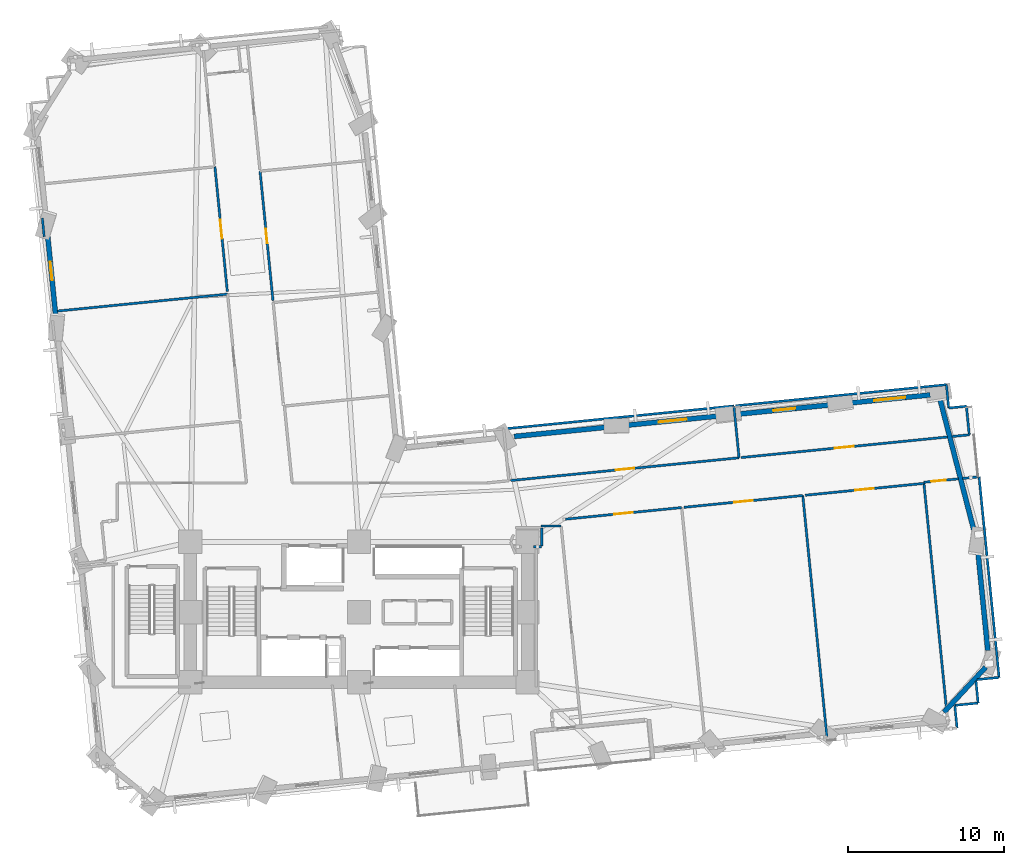
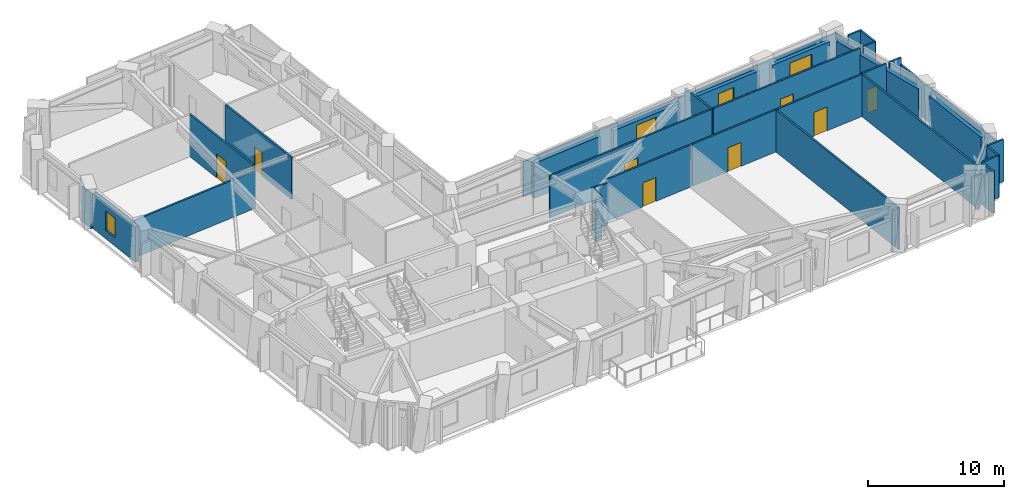
# One storey, part 10 of 16: 36 walls, 8 doors, 4 windows, 12 openings.
"""IFC4 building model written with IfcOpenShell, lengths in metres."""

from ifc_helpers import new_model, si_unit, direction, frame, frame_2d, origin, place, context, subcontext, project, spatial, rectangle, extrude, material, layer, layer_set, type_object, element, fill, save


model = new_model("IFC4")

# Units and contexts
model_context = context("Model", 3, precision=1e-05, world=origin(), true_north=direction((0.0, 1.0)))
body_context = subcontext(model_context, "Body", "Model", "MODEL_VIEW")
ifc_project = project(units=[si_unit("LENGTHUNIT", "METRE"), si_unit("AREAUNIT", "SQUARE_METRE"), si_unit("VOLUMEUNIT", "CUBIC_METRE"), si_unit("PLANEANGLEUNIT", "RADIAN"), si_unit("MASSUNIT", "GRAM", prefix="KILO")], contexts=[model_context])

# Site, building, storey
site_placement = place(None, origin())
site = spatial("IfcSite", under=ifc_project, at=site_placement, CompositionType="ELEMENT")
building_placement = place(site_placement, origin())
building = spatial("IfcBuilding", under=site, at=building_placement, Name="Gaonmaruhae Medical Tower", CompositionType="ELEMENT")
storey_placement = place(building_placement, frame((0.0, 0.0, 47.0)))
storey = spatial("IfcBuildingStorey", under=building, at=storey_placement, Name="L10", CompositionType="ELEMENT", Elevation=47.0)

# Walls
ifc_material_1 = material(Name="Precast concrete C45/55", Category="concrete")
ifc_layer_1 = layer(ifc_material_1, 0.320068359375)
ifc_layer_set_1 = layer_set([ifc_layer_1], Name="Precast concrete C45/55")
wall_type_1 = type_object("IfcWallType", Name="EW-320 Lower Precast Masonry-Frame Facade Wall", PredefinedType="SOLIDWALL", material=ifc_layer_set_1)
wall_1_placement = place(storey_placement, frame((64.955810546875, 8.77197265625, 0.0), z_axis=(0.0, 0.0, 1.0), x_axis=(-0.680098153136, -0.733121069197, 0.0)))
element("IfcWall", 1, at=wall_1_placement, inside=storey, type_object=wall_type_1, Name="L10 Precast Masonry-Frame Wall S08-E01", PredefinedType="SOLIDWALL", context=body_context, shape_type="SweptSolid", body=[
    extrude(rectangle(XDim=3.927490234375, YDim=0.320068359375, at=frame_2d((1.9638671875, 0.0))), origin(), (0.0, 0.0, 1.0), 3.1650390625),
])
wall_2_placement = place(storey_placement, frame((64.43505859375, 16.41796875, 0.0), z_axis=(0.0, 0.0, 1.0), x_axis=(0.099317215684, -0.995055822891, 0.0)))
element("IfcWall", 2, at=wall_2_placement, inside=storey, type_object=wall_type_1, Name="L10 Precast Masonry-Frame Wall E01-E02", PredefinedType="SOLIDWALL", context=body_context, shape_type="SweptSolid", body=[
    extrude(rectangle(XDim=6.610107421875, YDim=0.320068359375, at=frame_2d((3.30517578125, 0.0))), origin(), (0.0, 0.0, 1.0), 3.1650390625),
])
wall_3_placement = place(storey_placement, frame((62.037841796875, 25.9091796875, 0.0), z_axis=(0.0, 0.0, 1.0), x_axis=(0.250203731226, -0.968193210512, 0.0)))
element("IfcWall", 3, at=wall_3_placement, inside=storey, type_object=wall_type_1, Name="L10 Precast Masonry-Frame Wall E02-E03", PredefinedType="SOLIDWALL", context=body_context, shape_type="SweptSolid", body=[
    extrude(rectangle(XDim=8.614013671875, YDim=0.320068359375, at=frame_2d((4.30712890625, 0.0))), origin(), (0.0, 0.0, 1.0), 3.1650390625),
])

# Wall, opening, window
wall_4_placement = place(storey_placement, frame((56.2119140625, 25.7001953125, 0.0), z_axis=(0.0, 0.0, 1.0), x_axis=(0.995056197677, 0.099313460641, 0.0)))
wall_4 = element("IfcWall", 4, at=wall_4_placement, inside=storey, type_object=wall_type_1, Name="L10 Precast Masonry-Frame Wall E03-EN01", PredefinedType="SOLIDWALL", context=body_context, shape_type="SweptSolid", body=[
    extrude(rectangle(XDim=5.208984375, YDim=0.320068359375, at=frame_2d((2.6044921875, 0.0))), origin(), (0.0, 0.0, 1.0), 3.1650390625),
])
opening_1_placement = place(wall_4_placement, frame((1.60009765625, 0.0, 0.75)))
opening_1 = element("IfcOpeningElement", 5, at=opening_1_placement, cuts=wall_4, Name="Opening WN-02", PredefinedType="OPENING", context=body_context, shape_type="SweptSolid", body=[
    extrude(rectangle(XDim=2.0, YDim=1.949951171875, at=frame_2d((1.0, 0.97509765625))), frame((0.0, 0.169921875, 0.0), z_axis=(0.0, -1.0, 0.0), x_axis=(1.0, 0.0, 0.0)), (0.0, 0.0, 1.0), 0.340087890625),
])
ifc_material_2 = material(Name="Anodised aluminium and Low-E double glazing", Category="aluminium")
window_type_1 = type_object("IfcWindowType", Name="WN-02 Double-Bed Ward Punched Window 2000x1950", PartitioningType="SINGLE_PANEL", PredefinedType="WINDOW", material=ifc_material_2)
window_1_placement = place(opening_1_placement, origin())
window_1 = element("IfcWindow", 6, at=window_1_placement, inside=storey, type_object=window_type_1, Name="L10 Modular Facade Window E03", OverallHeight=1.949951171875, OverallWidth=2.0, PartitioningType="SINGLE_PANEL", PredefinedType="WINDOW", context=body_context, shape_type="SweptSolid", body=[
    extrude(rectangle(XDim=2.0, YDim=1.949951171875, at=frame_2d((1.0, 0.97509765625))), frame((0.0, 0.030029296875, 0.0), z_axis=(0.0, -1.0, 0.0), x_axis=(1.0, 0.0, 0.0)), (0.0, 0.0, 1.0), 0.06005859375),
])
fill(opening_1, window_1)

wall_5_placement = place(storey_placement, frame((49.0634765625, 24.98681640625, 0.0), z_axis=(0.0, 0.0, 1.0), x_axis=(0.995054829074, 0.099327172194, 0.0)))
wall_5 = element("IfcWall", 7, at=wall_5_placement, inside=storey, type_object=wall_type_1, Name="L10 Precast Masonry-Frame Wall EN01-EN02", PredefinedType="SOLIDWALL", context=body_context, shape_type="SweptSolid", body=[
    extrude(rectangle(XDim=6.0244140625, YDim=0.320068359375, at=frame_2d((3.01220703125, 0.0))), origin(), (0.0, 0.0, 1.0), 3.1650390625),
])
opening_2_placement = place(wall_5_placement, frame((2.30859375, 0.0, 0.75)))
opening_2 = element("IfcOpeningElement", 8, at=opening_2_placement, cuts=wall_5, Name="Opening WN-03", PredefinedType="OPENING", context=body_context, shape_type="SweptSolid", body=[
    extrude(rectangle(XDim=1.39990234375, YDim=1.85009765625, at=frame_2d((0.699951171875, 0.925048828125))), frame((0.0, 0.169921875, 0.0), z_axis=(0.0, -1.0, 0.0), x_axis=(1.0, 0.0, 0.0)), (0.0, 0.0, 1.0), 0.340087890625),
])
window_type_2 = type_object("IfcWindowType", Name="WN-03 Isolation Ward Punched Window 1400x1850", PartitioningType="SINGLE_PANEL", PredefinedType="WINDOW", material=ifc_material_2)
window_2_placement = place(opening_2_placement, origin())
window_2 = element("IfcWindow", 9, at=window_2_placement, inside=storey, type_object=window_type_2, Name="L10 Modular Facade Window EN01", OverallHeight=1.85009765625, OverallWidth=1.39990234375, PartitioningType="SINGLE_PANEL", PredefinedType="WINDOW", context=body_context, shape_type="SweptSolid", body=[
    extrude(rectangle(XDim=1.39990234375, YDim=1.85009765625, at=frame_2d((0.699951171875, 0.925048828125))), frame((0.0, 0.030029296875, 0.0), z_axis=(0.0, -1.0, 0.0), x_axis=(1.0, 0.0, 0.0)), (0.0, 0.0, 1.0), 0.06005859375),
])
fill(opening_2, window_2)

wall_6_placement = place(storey_placement, frame((41.90869140625, 24.272705078125, 0.0), z_axis=(0.0, 0.0, 1.0), x_axis=(0.995058520891, 0.099290180795, 0.0)))
wall_6 = element("IfcWall", 10, at=wall_6_placement, inside=storey, type_object=wall_type_1, Name="L10 Precast Masonry-Frame Wall EN02-EN03", PredefinedType="SOLIDWALL", context=body_context, shape_type="SweptSolid", body=[
    extrude(rectangle(XDim=5.99951171875, YDim=0.320068359375, at=frame_2d((2.999755859375, 0.0))), origin(), (0.0, 0.0, 1.0), 3.1650390625),
])
opening_3_placement = place(wall_6_placement, frame((2.097900390625, 0.0, 0.75)))
opening_3 = element("IfcOpeningElement", 11, at=opening_3_placement, cuts=wall_6, Name="Opening WN-04", PredefinedType="OPENING", context=body_context, shape_type="SweptSolid", body=[
    extrude(rectangle(XDim=1.800048828125, YDim=2.050048828125, at=frame_2d((0.89990234375, 1.02490234375))), frame((0.0, 0.169921875, 0.0), z_axis=(0.0, -1.0, 0.0), x_axis=(1.0, 0.0, 0.0)), (0.0, 0.0, 1.0), 0.340087890625),
])
window_type_3 = type_object("IfcWindowType", Name="WN-04 Clinic & Consult Punched Window 1800x2050", PartitioningType="SINGLE_PANEL", PredefinedType="WINDOW", material=ifc_material_2)
window_3_placement = place(opening_3_placement, origin())
window_3 = element("IfcWindow", 12, at=window_3_placement, inside=storey, type_object=window_type_3, Name="L10 Modular Facade Window EN02", OverallHeight=2.050048828125, OverallWidth=1.800048828125, PartitioningType="SINGLE_PANEL", PredefinedType="WINDOW", context=body_context, shape_type="SweptSolid", body=[
    extrude(rectangle(XDim=1.800048828125, YDim=2.050048828125, at=frame_2d((0.89990234375, 1.02490234375))), frame((0.0, 0.030029296875, 0.0), z_axis=(0.0, -1.0, 0.0), x_axis=(1.0, 0.0, 0.0)), (0.0, 0.0, 1.0), 0.06005859375),
])
fill(opening_3, window_3)

# Wall
wall_7_placement = place(storey_placement, frame((34.748046875, 23.557861328125, 0.0), z_axis=(0.0, 0.0, 1.0), x_axis=(0.995054132768, 0.099334147505, 0.0)))
element("IfcWall", 13, at=wall_7_placement, inside=storey, type_object=wall_type_1, Name="L10 Precast Masonry-Frame Wall EN03-EN04", PredefinedType="SOLIDWALL", context=body_context, shape_type="SweptSolid", body=[
    extrude(rectangle(XDim=5.987060546875, YDim=0.320068359375, at=frame_2d((2.99365234375, 0.0))), origin(), (0.0, 0.0, 1.0), 3.1650390625),
])

# Wall, opening, window
wall_8_placement = place(storey_placement, frame((5.394287109375, 31.0048828125, 0.0), z_axis=(0.0, 0.0, 1.0), x_axis=(-0.099315735394, 0.995055970638, 0.0)))
wall_8 = element("IfcWall", 14, at=wall_8_placement, inside=storey, type_object=wall_type_1, Name="L10 Precast Masonry-Frame Wall W02-W03", PredefinedType="SOLIDWALL", context=body_context, shape_type="SweptSolid", body=[
    extrude(rectangle(XDim=5.400634765625, YDim=0.320068359375, at=frame_2d((2.7001953125, 0.0))), origin(), (0.0, 0.0, 1.0), 3.1650390625),
])
opening_4_placement = place(wall_8_placement, frame((2.569580078125, 0.0, 0.75)))
opening_4 = element("IfcOpeningElement", 15, at=opening_4_placement, cuts=wall_8, Name="Opening WN-05", PredefinedType="OPENING", context=body_context, shape_type="SweptSolid", body=[
    extrude(rectangle(XDim=1.199951171875, YDim=1.75, at=frame_2d((0.60009765625, 0.875))), frame((0.0, 0.169921875, 0.0), z_axis=(0.0, -1.0, 0.0), x_axis=(1.0, 0.0, 0.0)), (0.0, 0.0, 1.0), 0.340087890625),
])
window_type_4 = type_object("IfcWindowType", Name="WN-05 Support & Staff Punched Window 1200x1750", PartitioningType="SINGLE_PANEL", PredefinedType="WINDOW", material=ifc_material_2)
window_4_placement = place(opening_4_placement, origin())
window_4 = element("IfcWindow", 16, at=window_4_placement, inside=storey, type_object=window_type_4, Name="L10 Modular Facade Window W02", OverallHeight=1.75, OverallWidth=1.199951171875, PartitioningType="SINGLE_PANEL", PredefinedType="WINDOW", context=body_context, shape_type="SweptSolid", body=[
    extrude(rectangle(XDim=1.199951171875, YDim=1.75, at=frame_2d((0.60009765625, 0.875))), frame((0.0, 0.030029296875, 0.0), z_axis=(0.0, -1.0, 0.0), x_axis=(1.0, 0.0, 0.0)), (0.0, 0.0, 1.0), 0.06005859375),
])
fill(opening_4, window_4)

# Walls
ifc_material_3 = material(Name="Gypsum board partition", Category="gypsum")
ifc_layer_2 = layer(ifc_material_3, 0.14990234375)
ifc_layer_set_2 = layer_set([ifc_layer_2], Name="Gypsum board partition")
wall_type_2 = type_object("IfcWallType", Name="PW-150 Rated Clinical Corridor Partition", PredefinedType="PARTITIONING", material=ifc_layer_set_2)
wall_9_placement = place(storey_placement, frame((35.97509765625, 16.5, 0.0), z_axis=(0.0, 0.0, 1.0), x_axis=(1.0, 0.0, 0.0)))
element("IfcWall", 17, at=wall_9_placement, inside=storey, type_object=wall_type_2, Name="L10 Interior Partition L10-SUP04-27", PredefinedType="PARTITIONING", context=body_context, shape_type="SweptSolid", body=[
    extrude(rectangle(XDim=0.52490234375, YDim=0.14990234375, at=frame_2d((0.262451171875, 0.0))), origin(), (0.0, 0.0, 1.0), 3.780029296875),
])
wall_10_placement = place(storey_placement, frame((36.5, 16.550048828125, 0.0), z_axis=(0.0, 0.0, 1.0), x_axis=(0.0, 1.0, 0.0)))
element("IfcWall", 18, at=wall_10_placement, inside=storey, type_object=wall_type_2, Name="L10 Interior Partition L10-SUP04-28", PredefinedType="PARTITIONING", context=body_context, shape_type="SweptSolid", body=[
    extrude(rectangle(XDim=1.14990234375, YDim=0.14990234375, at=frame_2d((0.574951171875, 0.0))), origin(), (0.0, 0.0, 1.0), 3.780029296875),
])
wall_11_placement = place(storey_placement, frame((36.449951171875, 17.820068359375, 0.0), z_axis=(0.0, 0.0, 1.0), x_axis=(1.0, 0.0, 0.0)))
element("IfcWall", 19, at=wall_11_placement, inside=storey, type_object=wall_type_2, Name="L10 Interior Partition L10-SUP04-30", PredefinedType="PARTITIONING", context=body_context, shape_type="SweptSolid", body=[
    extrude(rectangle(XDim=1.303955078125, YDim=0.14990234375, at=frame_2d((0.65185546875, 0.0))), origin(), (0.0, 0.0, 1.0), 3.780029296875),
])

# Wall, opening, door
wall_12_placement = place(storey_placement, frame((38.030029296875, 18.258056640625, 0.0), z_axis=(0.0, 0.0, 1.0), x_axis=(0.995058167689, 0.099293720422, 0.0)))
wall_12 = element("IfcWall", 20, at=wall_12_placement, inside=storey, type_object=wall_type_2, Name="L10 Interior Partition L10-SUP05-35", PredefinedType="PARTITIONING", context=body_context, shape_type="SweptSolid", body=[
    extrude(rectangle(XDim=7.48193359375, YDim=0.14990234375, at=frame_2d((3.740966796875, 0.0))), origin(), (0.0, 0.0, 1.0), 3.780029296875),
])
opening_5_placement = place(wall_12_placement, frame((3.14111328125, 0.0, 0.0)))
opening_5 = element("IfcOpeningElement", 21, at=opening_5_placement, cuts=wall_12, Name="Opening CD-02", PredefinedType="OPENING", context=body_context, shape_type="SweptSolid", body=[
    extrude(rectangle(XDim=1.199951171875, YDim=2.14990234375, at=frame_2d((0.60009765625, 1.074951171875))), frame((0.0, 0.0849609375, 0.0), z_axis=(0.0, -1.0, 0.0), x_axis=(1.0, 0.0, 0.0)), (0.0, 0.0, 1.0), 0.169921875),
])
ifc_material_4 = material(Name="Antimicrobial laminate timber fire door", Category="wood")
door_type_1 = type_object("IfcDoorType", Name="CD-02 Clinical Treatment & Procedure Door 1200x2150", OperationType="NOTDEFINED", PredefinedType="DOOR", material=ifc_material_4)
door_1_placement = place(opening_5_placement, origin())
door_1 = element("IfcDoor", 22, at=door_1_placement, inside=storey, type_object=door_type_1, Name="L10 Clinical Biomedical Charting Office Door", OperationType="SINGLE_SWING_LEFT", OverallHeight=2.14990234375, OverallWidth=1.199951171875, PredefinedType="DOOR", context=body_context, shape_type="SweptSolid", body=[
    extrude(rectangle(XDim=1.199951171875, YDim=2.14990234375, at=frame_2d((0.60009765625, 1.074951171875))), frame((0.0, 0.02490234375, 0.0), z_axis=(0.0, -1.0, 0.0), x_axis=(1.0, 0.0, 0.0)), (0.0, 0.0, 1.0), 0.050048828125),
])
fill(opening_5, door_1)

wall_13_placement = place(storey_placement, frame((45.634033203125, 19.01708984375, 0.0), z_axis=(0.0, 0.0, 1.0), x_axis=(0.995068149401, 0.099193639146, 0.0)))
wall_13 = element("IfcWall", 23, at=wall_13_placement, inside=storey, type_object=wall_type_2, Name="L10 Interior Partition L10-SUP06-37", PredefinedType="PARTITIONING", context=body_context, shape_type="SweptSolid", body=[
    extrude(rectangle(XDim=7.6396484375, YDim=0.14990234375, at=frame_2d((3.81982421875, 0.0))), origin(), (0.0, 0.0, 1.0), 3.780029296875),
])
opening_6_placement = place(wall_13_placement, frame((3.2197265625, 0.0, 0.0)))
opening_6 = element("IfcOpeningElement", 24, at=opening_6_placement, cuts=wall_13, Name="Opening CD-02", PredefinedType="OPENING", context=body_context, shape_type="SweptSolid", body=[
    extrude(rectangle(XDim=1.199951171875, YDim=2.14990234375, at=frame_2d((0.60009765625, 1.074951171875))), frame((0.0, 0.0849609375, 0.0), z_axis=(0.0, -1.0, 0.0), x_axis=(1.0, 0.0, 0.0)), (0.0, 0.0, 1.0), 0.169921875),
])
door_2_placement = place(opening_6_placement, origin())
door_2 = element("IfcDoor", 25, at=door_2_placement, inside=storey, type_object=door_type_1, Name="L10 Clinical Biomedical Charting Office Door", OperationType="SINGLE_SWING_RIGHT", OverallHeight=2.14990234375, OverallWidth=1.199951171875, PredefinedType="DOOR", context=body_context, shape_type="SweptSolid", body=[
    extrude(rectangle(XDim=1.199951171875, YDim=2.14990234375, at=frame_2d((0.60009765625, 1.074951171875))), frame((0.0, 0.02490234375, 0.0), z_axis=(0.0, -1.0, 0.0), x_axis=(1.0, 0.0, 0.0)), (0.0, 0.0, 1.0), 0.050048828125),
])
fill(opening_6, door_2)

# Wall
wall_14_placement = place(storey_placement, frame((53.236083984375, 19.77490234375, 0.0), z_axis=(0.0, 0.0, 1.0), x_axis=(0.099355848427, -0.995051966172, 0.0)))
element("IfcWall", 26, at=wall_14_placement, inside=storey, type_object=wall_type_2, Name="L10 Interior Partition L10-SUP06-38", PredefinedType="PARTITIONING", context=body_context, shape_type="SweptSolid", body=[
    extrude(rectangle(XDim=15.52978515625, YDim=0.14990234375, at=frame_2d((7.764892578125, 0.0))), origin(), (0.0, 0.0, 1.0), 3.780029296875),
])

# Wall, opening, door
wall_15_placement = place(storey_placement, frame((53.39501953125, 19.791015625, 0.0), z_axis=(0.0, 0.0, 1.0), x_axis=(0.995053627219, 0.09933921158, 0.0)))
wall_15 = element("IfcWall", 27, at=wall_15_placement, inside=storey, type_object=wall_type_2, Name="L10 Interior Partition L10-SUP07-41", PredefinedType="PARTITIONING", context=body_context, shape_type="SweptSolid", body=[
    extrude(rectangle(XDim=7.640869140625, YDim=0.14990234375, at=frame_2d((3.8203125, 0.0))), origin(), (0.0, 0.0, 1.0), 3.780029296875),
])
opening_7_placement = place(wall_15_placement, frame((3.220458984375, 0.0, 0.0)))
opening_7 = element("IfcOpeningElement", 28, at=opening_7_placement, cuts=wall_15, Name="Opening CD-02", PredefinedType="OPENING", context=body_context, shape_type="SweptSolid", body=[
    extrude(rectangle(XDim=1.199951171875, YDim=2.14990234375, at=frame_2d((0.60009765625, 1.074951171875))), frame((0.0, 0.0849609375, 0.0), z_axis=(0.0, -1.0, 0.0), x_axis=(1.0, 0.0, 0.0)), (0.0, 0.0, 1.0), 0.169921875),
])
door_3_placement = place(opening_7_placement, origin())
door_3 = element("IfcDoor", 29, at=door_3_placement, inside=storey, type_object=door_type_1, Name="L10 Clinical Biomedical Charting Office Door", OperationType="SINGLE_SWING_LEFT", OverallHeight=2.14990234375, OverallWidth=1.199951171875, PredefinedType="DOOR", context=body_context, shape_type="SweptSolid", body=[
    extrude(rectangle(XDim=1.199951171875, YDim=2.14990234375, at=frame_2d((0.60009765625, 1.074951171875))), frame((0.0, 0.02490234375, 0.0), z_axis=(0.0, -1.0, 0.0), x_axis=(1.0, 0.0, 0.0)), (0.0, 0.0, 1.0), 0.050048828125),
])
fill(opening_7, door_3)

# Walls
wall_16_placement = place(storey_placement, frame((60.998046875, 20.550048828125, 0.0), z_axis=(0.0, 0.0, 1.0), x_axis=(0.099315425298, -0.995056001589, 0.0)))
element("IfcWall", 30, at=wall_16_placement, inside=storey, type_object=wall_type_2, Name="L10 Interior Partition L10-SUP07-42", PredefinedType="PARTITIONING", context=body_context, shape_type="SweptSolid", body=[
    extrude(rectangle(XDim=14.378173828125, YDim=0.14990234375, at=frame_2d((7.18896484375, 0.0))), origin(), (0.0, 0.0, 1.0), 3.780029296875),
])
wall_17_placement = place(storey_placement, frame((5.471923828125, 31.590087890625, 0.0), z_axis=(0.0, 0.0, 1.0), x_axis=(0.99505657203, 0.099309709794, 0.0)))
element("IfcWall", 31, at=wall_17_placement, inside=storey, type_object=wall_type_2, Name="L10 Interior Partition L10-WOF09-53", PredefinedType="PARTITIONING", context=body_context, shape_type="SweptSolid", body=[
    extrude(rectangle(XDim=10.96435546875, YDim=0.14990234375, at=frame_2d((5.482177734375, 0.0))), origin(), (0.0, 0.0, 1.0), 3.364990234375),
])

# Wall, opening, door
wall_18_placement = place(storey_placement, frame((15.568115234375, 40.837890625, 0.0), z_axis=(0.0, 0.0, 1.0), x_axis=(0.099239132337, -0.99506361335, 0.0)))
wall_18 = element("IfcWall", 32, at=wall_18_placement, inside=storey, type_object=wall_type_2, Name="L10 Interior Partition L10-WOF10-58", PredefinedType="PARTITIONING", context=body_context, shape_type="SweptSolid", body=[
    extrude(rectangle(XDim=8.039794921875, YDim=0.14990234375, at=frame_2d((4.02001953125, 0.0))), origin(), (0.0, 0.0, 1.0), 3.780029296875),
])
opening_8_placement = place(wall_18_placement, frame((3.419921875, 0.0, 0.0)))
opening_8 = element("IfcOpeningElement", 33, at=opening_8_placement, cuts=wall_18, Name="Opening CD-02", PredefinedType="OPENING", context=body_context, shape_type="SweptSolid", body=[
    extrude(rectangle(XDim=1.199951171875, YDim=2.14990234375, at=frame_2d((0.60009765625, 1.074951171875))), frame((0.0, 0.0849609375, 0.0), z_axis=(0.0, -1.0, 0.0), x_axis=(1.0, 0.0, 0.0)), (0.0, 0.0, 1.0), 0.169921875),
])
door_4_placement = place(opening_8_placement, origin())
door_4 = element("IfcDoor", 34, at=door_4_placement, inside=storey, type_object=door_type_1, Name="L10 Ward Physician Reporting Office Door", OperationType="SINGLE_SWING_LEFT", OverallHeight=2.14990234375, OverallWidth=1.199951171875, PredefinedType="DOOR", context=body_context, shape_type="SweptSolid", body=[
    extrude(rectangle(XDim=1.199951171875, YDim=2.14990234375, at=frame_2d((0.60009765625, 1.074951171875))), frame((0.0, 0.02490234375, 0.0), z_axis=(0.0, -1.0, 0.0), x_axis=(1.0, 0.0, 0.0)), (0.0, 0.0, 1.0), 0.050048828125),
])
fill(opening_8, door_4)

# Wall
wall_19_placement = place(storey_placement, frame((4.62890625, 36.35595703125, 0.0), z_axis=(0.0, 0.0, 1.0), x_axis=(-0.099097432178, 0.995077735122, 0.0)))
element("IfcWall", 35, at=wall_19_placement, inside=storey, type_object=wall_type_2, Name="L10 Interior Partition L10-WOF10-59", PredefinedType="PARTITIONING", context=body_context, shape_type="SweptSolid", body=[
    extrude(rectangle(XDim=1.18994140625, YDim=0.14990234375, at=frame_2d((0.594970703125, 0.0))), origin(), (0.0, 0.0, 1.0), 3.1650390625),
])

# Wall, opening, door
wall_20_placement = place(storey_placement, frame((49.152099609375, 22.19189453125, 0.0), z_axis=(0.0, 0.0, 1.0), x_axis=(-0.995051810564, -0.099357406838, 0.0)))
wall_20 = element("IfcWall", 36, at=wall_20_placement, inside=storey, type_object=wall_type_2, Name="L10 Interior Partition L10-IE02-75", PredefinedType="PARTITIONING", context=body_context, shape_type="SweptSolid", body=[
    extrude(rectangle(XDim=14.703857421875, YDim=0.14990234375, at=frame_2d((7.35205078125, 0.0))), origin(), (0.0, 0.0, 1.0), 3.780029296875),
])
opening_9_placement = place(wall_20_placement, frame((6.751953125, 0.0, 0.0)))
opening_9 = element("IfcOpeningElement", 37, at=opening_9_placement, cuts=wall_20, Name="Opening CD-02", PredefinedType="OPENING", context=body_context, shape_type="SweptSolid", body=[
    extrude(rectangle(XDim=1.199951171875, YDim=2.14990234375, at=frame_2d((0.60009765625, 1.074951171875))), frame((0.0, 0.0849609375, 0.0), z_axis=(0.0, -1.0, 0.0), x_axis=(1.0, 0.0, 0.0)), (0.0, 0.0, 1.0), 0.169921875),
])
door_5_placement = place(opening_9_placement, origin())
door_5 = element("IfcDoor", 38, at=door_5_placement, inside=storey, type_object=door_type_1, Name="L10 Acute Treatment Examination Room Door", OperationType="SINGLE_SWING_LEFT", OverallHeight=2.14990234375, OverallWidth=1.199951171875, PredefinedType="DOOR", context=body_context, shape_type="SweptSolid", body=[
    extrude(rectangle(XDim=1.199951171875, YDim=2.14990234375, at=frame_2d((0.60009765625, 1.074951171875))), frame((0.0, 0.02490234375, 0.0), z_axis=(0.0, -1.0, 0.0), x_axis=(1.0, 0.0, 0.0)), (0.0, 0.0, 1.0), 0.050048828125),
])
fill(opening_9, door_5)

# Walls
wall_21_placement = place(storey_placement, frame((34.18896484375, 24.054931640625, 0.0), z_axis=(0.0, 0.0, 1.0), x_axis=(0.995058374642, 0.099291646454, 0.0)))
element("IfcWall", 39, at=wall_21_placement, inside=storey, type_object=wall_type_2, Name="L10 Interior Partition L10-IE02-76", PredefinedType="PARTITIONING", context=body_context, shape_type="SweptSolid", body=[
    extrude(rectangle(XDim=14.703857421875, YDim=0.14990234375, at=frame_2d((7.35205078125, 0.0))), origin(), (0.0, 0.0, 1.0), 3.1650390625),
])
wall_22_placement = place(storey_placement, frame((48.820068359375, 25.514892578125, 0.0), z_axis=(0.0, 0.0, 1.0), x_axis=(0.099424098356, -0.995045149059, 0.0)))
element("IfcWall", 40, at=wall_22_placement, inside=storey, type_object=wall_type_2, Name="L10 Interior Partition L10-IE02-77", PredefinedType="PARTITIONING", context=body_context, shape_type="SweptSolid", body=[
    extrude(rectangle(XDim=3.339599609375, YDim=0.14990234375, at=frame_2d((1.669921875, 0.0))), origin(), (0.0, 0.0, 1.0), 3.780029296875),
])
wall_23_placement = place(storey_placement, frame((62.5859375, 25.382080078125, 0.0), z_axis=(0.0, 0.0, 1.0), x_axis=(0.995068954743, 0.099185559967, 0.0)))
element("IfcWall", 41, at=wall_23_placement, inside=storey, type_object=wall_type_2, Name="L10 Interior Partition L10-IE03-78", PredefinedType="PARTITIONING", context=body_context, shape_type="SweptSolid", body=[
    extrude(rectangle(XDim=1.1396484375, YDim=0.14990234375, at=frame_2d((0.56982421875, 0.0))), origin(), (0.0, 0.0, 1.0), 3.780029296875),
])
wall_24_placement = place(storey_placement, frame((63.719970703125, 25.4951171875, 0.0), z_axis=(0.0, 0.0, 1.0), x_axis=(0.099503719021, -0.99503719021, 0.0)))
element("IfcWall", 42, at=wall_24_placement, inside=storey, type_object=wall_type_2, Name="L10 Interior Partition L10-IE03-79", PredefinedType="PARTITIONING", context=body_context, shape_type="SweptSolid", body=[
    extrude(rectangle(XDim=1.840087890625, YDim=0.14990234375, at=frame_2d((0.919921875, 0.0))), origin(), (0.0, 0.0, 1.0), 3.780029296875),
])
wall_25_placement = place(storey_placement, frame((63.903076171875, 23.6640625, 0.0), z_axis=(0.0, 0.0, 1.0), x_axis=(-0.995093012323, -0.098943907475, 0.0)))
element("IfcWall", 43, at=wall_25_placement, inside=storey, type_object=wall_type_2, Name="L10 Interior Partition L10-IE03-80", PredefinedType="PARTITIONING", context=body_context, shape_type="SweptSolid", body=[
    extrude(rectangle(XDim=1.122802734375, YDim=0.14990234375, at=frame_2d((0.5615234375, 0.0))), origin(), (0.0, 0.0, 1.0), 3.780029296875),
])

# Wall, opening, door
wall_26_placement = place(storey_placement, frame((62.513916015625, 23.52490234375, 0.0), z_axis=(0.0, 0.0, 1.0), x_axis=(-0.995063129281, -0.099243985941, 0.0)))
wall_26 = element("IfcWall", 44, at=wall_26_placement, inside=storey, type_object=wall_type_2, Name="L10 Interior Partition L10-IE03-81", PredefinedType="PARTITIONING", context=body_context, shape_type="SweptSolid", body=[
    extrude(rectangle(XDim=13.30859375, YDim=0.14990234375, at=frame_2d((6.654296875, 0.0))), origin(), (0.0, 0.0, 1.0), 3.780029296875),
])
opening_10_placement = place(wall_26_placement, frame((6.054443359375, 0.0, 0.0)))
opening_10 = element("IfcOpeningElement", 45, at=opening_10_placement, cuts=wall_26, Name="Opening CD-02", PredefinedType="OPENING", context=body_context, shape_type="SweptSolid", body=[
    extrude(rectangle(XDim=1.199951171875, YDim=2.14990234375, at=frame_2d((0.60009765625, 1.074951171875))), frame((0.0, 0.0849609375, 0.0), z_axis=(0.0, -1.0, 0.0), x_axis=(1.0, 0.0, 0.0)), (0.0, 0.0, 1.0), 0.169921875),
])
door_6_placement = place(opening_10_placement, origin())
door_6 = element("IfcDoor", 46, at=door_6_placement, inside=storey, type_object=door_type_1, Name="L10 Clean Medication Preparation Room Door", OperationType="SINGLE_SWING_LEFT", OverallHeight=2.14990234375, OverallWidth=1.199951171875, PredefinedType="DOOR", context=body_context, shape_type="SweptSolid", body=[
    extrude(rectangle(XDim=1.199951171875, YDim=2.14990234375, at=frame_2d((0.60009765625, 1.074951171875))), frame((0.0, 0.02490234375, 0.0), z_axis=(0.0, -1.0, 0.0), x_axis=(1.0, 0.0, 0.0)), (0.0, 0.0, 1.0), 0.050048828125),
])
fill(opening_10, door_6)

# Walls
wall_27_placement = place(storey_placement, frame((48.93994140625, 25.527099609375, 0.0), z_axis=(0.0, 0.0, 1.0), x_axis=(0.995057485189, 0.09930055976, 0.0)))
element("IfcWall", 47, at=wall_27_placement, inside=storey, type_object=wall_type_2, Name="L10 Interior Partition L10-IE03-82", PredefinedType="PARTITIONING", context=body_context, shape_type="SweptSolid", body=[
    extrude(rectangle(XDim=13.564208984375, YDim=0.14990234375, at=frame_2d((6.7822265625, 0.0))), origin(), (0.0, 0.0, 1.0), 3.1650390625),
])
wall_28_placement = place(storey_placement, frame((62.43701171875, 26.8740234375, 0.0), z_axis=(0.0, 0.0, 1.0), x_axis=(0.099326377698, -0.995054908381, 0.0)))
element("IfcWall", 48, at=wall_28_placement, inside=storey, type_object=wall_type_2, Name="L10 Interior Partition L10-IE03-83", PredefinedType="PARTITIONING", context=body_context, shape_type="SweptSolid", body=[
    extrude(rectangle(XDim=1.499267578125, YDim=0.14990234375, at=frame_2d((0.74951171875, 0.0))), origin(), (0.0, 0.0, 1.0), 3.1650390625),
])

# Wall, opening, door
wall_29_placement = place(storey_placement, frame((19.2890625, 32.2548828125, 0.0), z_axis=(0.0, 0.0, 1.0), x_axis=(-0.099408077022, 0.995046749767, 0.0)))
wall_29 = element("IfcWall", 49, at=wall_29_placement, inside=storey, type_object=wall_type_2, Name="L10 Interior Partition L10-IN02-87", PredefinedType="PARTITIONING", context=body_context, shape_type="SweptSolid", body=[
    extrude(rectangle(XDim=8.34033203125, YDim=0.14990234375, at=frame_2d((4.170166015625, 0.0))), origin(), (0.0, 0.0, 1.0), 3.780029296875),
])
opening_11_placement = place(wall_29_placement, frame((3.710205078125, 0.0, 0.0)))
opening_11 = element("IfcOpeningElement", 50, at=opening_11_placement, cuts=wall_29, Name="Opening UD-01", PredefinedType="OPENING", context=body_context, shape_type="SweptSolid", body=[
    extrude(rectangle(XDim=0.919921875, YDim=2.10009765625, at=frame_2d((0.4599609375, 1.050048828125))), frame((0.0, 0.0849609375, 0.0), z_axis=(0.0, -1.0, 0.0), x_axis=(1.0, 0.0, 0.0)), (0.0, 0.0, 1.0), 0.169921875),
])
ifc_material_5 = material(Name="Powder-coated steel utility door", Category="steel")
door_type_2 = type_object("IfcDoorType", Name="UD-01 Toilet, Utility & Housekeeping Door 920x2100", OperationType="NOTDEFINED", PredefinedType="DOOR", material=ifc_material_5)
door_7_placement = place(opening_11_placement, origin())
door_7 = element("IfcDoor", 51, at=door_7_placement, inside=storey, type_object=door_type_2, Name="L10 Ward Nutrition Pantry Door", OperationType="SINGLE_SWING_LEFT", OverallHeight=2.10009765625, OverallWidth=0.919921875, PredefinedType="DOOR", context=body_context, shape_type="SweptSolid", body=[
    extrude(rectangle(XDim=0.919921875, YDim=2.10009765625, at=frame_2d((0.4599609375, 1.050048828125))), frame((0.0, 0.02490234375, 0.0), z_axis=(0.0, -1.0, 0.0), x_axis=(1.0, 0.0, 0.0)), (0.0, 0.0, 1.0), 0.050048828125),
])
fill(opening_11, door_7)

# Walls
wall_30_placement = place(storey_placement, frame((64.3310546875, 7.89990234375, 0.0), z_axis=(0.0, 0.0, 1.0), x_axis=(0.099132057666, -0.995074286243, 0.0)))
element("IfcWall", 52, at=wall_30_placement, inside=storey, type_object=wall_type_2, Name="L10 Interior Partition L10-RM03-101", PredefinedType="PARTITIONING", context=body_context, shape_type="SweptSolid", body=[
    extrude(rectangle(XDim=1.430908203125, YDim=0.14990234375, at=frame_2d((0.71533203125, 0.0))), origin(), (0.0, 0.0, 1.0), 3.780029296875),
])
wall_31_placement = place(storey_placement, frame((64.472900390625, 6.47607421875, 0.0), z_axis=(0.0, 0.0, 1.0), x_axis=(-0.995045242495, -0.099423163232, 0.0)))
element("IfcWall", 53, at=wall_31_placement, inside=storey, type_object=wall_type_2, Name="L10 Interior Partition L10-RM03-102", PredefinedType="PARTITIONING", context=body_context, shape_type="SweptSolid", body=[
    extrude(rectangle(XDim=1.500244140625, YDim=0.14990234375, at=frame_2d((0.75, 0.0))), origin(), (0.0, 0.0, 1.0), 3.780029296875),
])
wall_32_placement = place(storey_placement, frame((62.97998046875, 6.326904296875, 0.0), z_axis=(0.0, 0.0, 1.0), x_axis=(0.099306413022, -0.995056901053, 0.0)))
element("IfcWall", 54, at=wall_32_placement, inside=storey, type_object=wall_type_2, Name="L10 Interior Partition L10-RM03-103", PredefinedType="PARTITIONING", context=body_context, shape_type="SweptSolid", body=[
    extrude(rectangle(XDim=1.47021484375, YDim=0.14990234375, at=frame_2d((0.735107421875, 0.0))), origin(), (0.0, 0.0, 1.0), 3.780029296875),
])

# Wall, opening, door
wall_33_placement = place(storey_placement, frame((60.990966796875, 20.6201171875, 0.0), z_axis=(0.0, 0.0, 1.0), x_axis=(0.995070765983, 0.099167387206, 0.0)))
wall_33 = element("IfcWall", 55, at=wall_33_placement, inside=storey, type_object=wall_type_2, Name="L10 Interior Partition L10-RM03-105", PredefinedType="PARTITIONING", context=body_context, shape_type="SweptSolid", body=[
    extrude(rectangle(XDim=2.22802734375, YDim=0.14990234375, at=frame_2d((1.114013671875, 0.0))), origin(), (0.0, 0.0, 1.0), 3.780029296875),
])
opening_12_placement = place(wall_33_placement, frame((0.496826171875, 0.0, 0.0)))
opening_12 = element("IfcOpeningElement", 56, at=opening_12_placement, cuts=wall_33, Name="Opening UD-01", PredefinedType="OPENING", context=body_context, shape_type="SweptSolid", body=[
    extrude(rectangle(XDim=0.919921875, YDim=2.10009765625, at=frame_2d((0.4599609375, 1.050048828125))), frame((0.0, 0.0849609375, 0.0), z_axis=(0.0, -1.0, 0.0), x_axis=(1.0, 0.0, 0.0)), (0.0, 0.0, 1.0), 0.169921875),
])
door_8_placement = place(opening_12_placement, origin())
door_8 = element("IfcDoor", 57, at=door_8_placement, inside=storey, type_object=door_type_2, Name="L10 Biomedical Mobile Equipment Bay Door", OperationType="SINGLE_SWING_RIGHT", OverallHeight=2.10009765625, OverallWidth=0.919921875, PredefinedType="DOOR", context=body_context, shape_type="SweptSolid", body=[
    extrude(rectangle(XDim=0.919921875, YDim=2.10009765625, at=frame_2d((0.4599609375, 1.050048828125))), frame((0.0, 0.02490234375, 0.0), z_axis=(0.0, -1.0, 0.0), x_axis=(1.0, 0.0, 0.0)), (0.0, 0.0, 1.0), 0.050048828125),
])
fill(opening_12, door_8)

# Walls
wall_34_placement = place(storey_placement, frame((63.47998046875, 20.867919921875, 0.0), z_axis=(0.0, 0.0, 1.0), x_axis=(0.995066841681, 0.099206756764, 0.0)))
element("IfcWall", 58, at=wall_34_placement, inside=storey, type_object=wall_type_2, Name="L10 Interior Partition L10-RM03-106", PredefinedType="PARTITIONING", context=body_context, shape_type="SweptSolid", body=[
    extrude(rectangle(XDim=1.05810546875, YDim=0.14990234375, at=frame_2d((0.529052734375, 0.0))), origin(), (0.0, 0.0, 1.0), 3.780029296875),
])
wall_35_placement = place(storey_placement, frame((64.532958984375, 20.972900390625, 0.0), z_axis=(0.0, 0.0, 1.0), x_axis=(0.099301654273, -0.995057375963, 0.0)))
element("IfcWall", 59, at=wall_35_placement, inside=storey, type_object=wall_type_2, Name="L10 Interior Partition L10-RM03-107", PredefinedType="PARTITIONING", context=body_context, shape_type="SweptSolid", body=[
    extrude(rectangle(XDim=12.919921875, YDim=0.14990234375, at=frame_2d((6.4599609375, 0.0))), origin(), (0.0, 0.0, 1.0), 3.1650390625),
])
wall_36_placement = place(storey_placement, frame((65.81591796875, 8.116943359375, 0.0), z_axis=(0.0, 0.0, 1.0), x_axis=(-0.995081287977, -0.099061750028, 0.0)))
element("IfcWall", 60, at=wall_36_placement, inside=storey, type_object=wall_type_2, Name="L10 Interior Partition L10-RM03-108", PredefinedType="PARTITIONING", context=body_context, shape_type="SweptSolid", body=[
    extrude(rectangle(XDim=1.422119140625, YDim=0.14990234375, at=frame_2d((0.7109375, 0.0))), origin(), (0.0, 0.0, 1.0), 3.780029296875),
])

save(model, "model.ifc")
